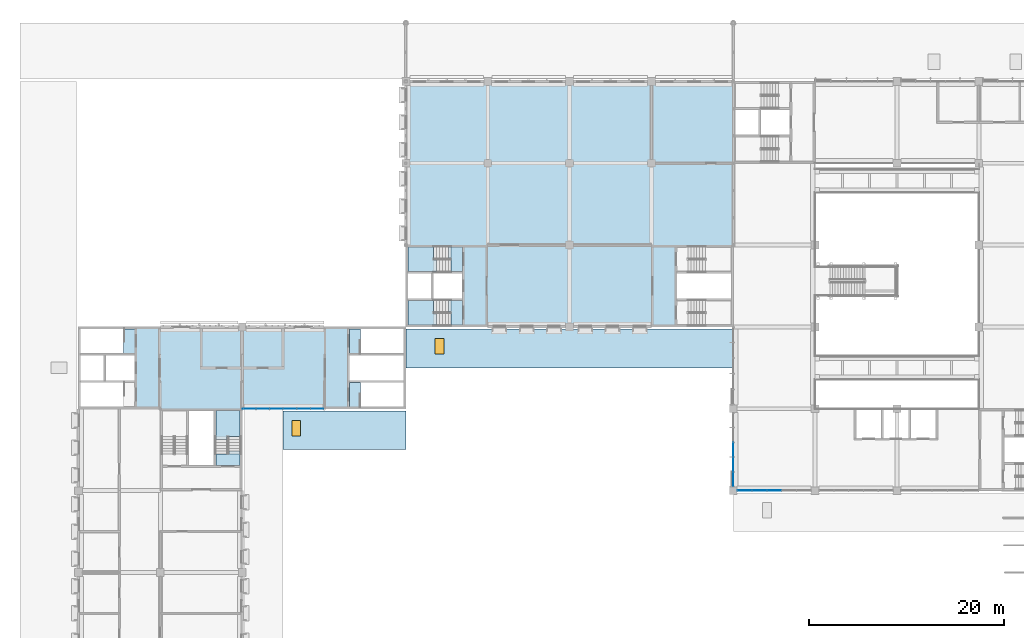
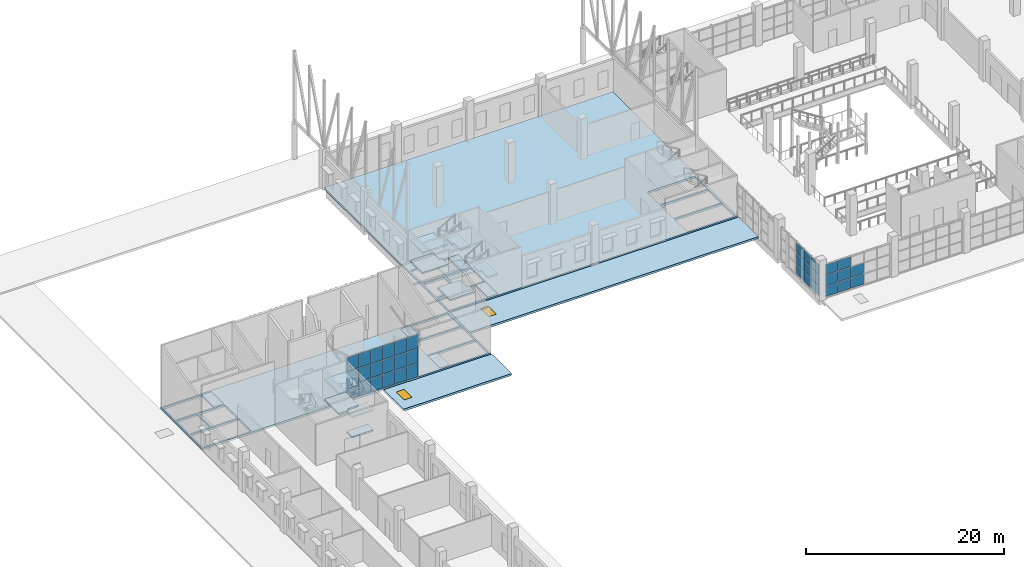
# One storey, part 21 of 101: 35 plates, 19 slabs, 2 windows, 2 openings, 6 elements without a shape of their own.
"""IFC4 building model written with IfcOpenShell, lengths in metres."""

from ifc_helpers import new_model, si_unit, direction, frame, origin, origin_2d, place, context, subcontext, project, spatial, polyline, rectangle, outline, extrude, material, layer, layer_set, type_object, element, fill, aggregate, save


model = new_model("IFC4")

# Units and contexts
model_context = context("Model", 3, precision=1e-05, world=origin(), true_north=direction((0.0, 1.0)))
body_context = subcontext(model_context, "Body", "Model", "MODEL_VIEW")
ifc_project = project(units=[si_unit("LENGTHUNIT", "METRE"), si_unit("AREAUNIT", "SQUARE_METRE"), si_unit("VOLUMEUNIT", "CUBIC_METRE"), si_unit("PLANEANGLEUNIT", "RADIAN"), si_unit("MASSUNIT", "GRAM", prefix="KILO")], contexts=[model_context])

# Site, building, storey
site_placement = place(None, origin())
site = spatial("IfcSite", under=ifc_project, at=site_placement, CompositionType="ELEMENT")
building_placement = place(site_placement, origin())
building = spatial("IfcBuilding", under=site, at=building_placement, Name="Almond Square Museum", CompositionType="ELEMENT")
storey_placement = place(building_placement, frame((0.0, 0.0, 5.5)))
storey = spatial("IfcBuildingStorey", under=building, at=storey_placement, Name="L01", CompositionType="ELEMENT", Elevation=5.5)

# Slab, opening, window
ifc_material_1 = material(Name="Timber deck and membrane roofing", Category="wood")
ifc_layer_1 = layer(ifc_material_1, 0.25)
ifc_layer_set_1 = layer_set([ifc_layer_1], Name="Timber deck and membrane roofing")
slab_type_1 = type_object("IfcSlabType", Name="Arcade roof covering 250", PredefinedType="ROOF", material=ifc_layer_set_1)
slab_1_placement = place(storey_placement, frame((0.0, 0.0, -0.25)))
slab_1 = element("IfcSlab", 1, at=slab_1_placement, inside=storey, type_object=slab_type_1, Name="Roof covering Log V3", PredefinedType="ROOF", context=body_context, shape_type="SweptSolid", body=[
    extrude(outline(polyline([(39.60009765625, 71.39990234375), (39.60009765625, 75.3798828125), (27.0, 75.3798828125), (27.0, 71.39990234375), (39.60009765625, 71.39990234375)])), origin(), (0.0, 0.0, 1.0), 0.25),
])
opening_1_placement = place(slab_1_placement, frame((28.35009765625, 73.60009765625, -0.010009765625)))
opening_1 = element("IfcOpeningElement", 2, at=opening_1_placement, cuts=slab_1, Name="Opening RL405", PredefinedType="OPENING", context=body_context, shape_type="SweptSolid", body=[
    extrude(rectangle(XDim=0.89990234375, YDim=1.60009765625, at=origin_2d()), origin(), (0.0, 0.0, 1.0), 0.27001953125),
])
ifc_material_2 = material(Name="Aluminium frame and laminated glass", Category="aluminium")
window_type = type_object("IfcWindowType", Name="Entrance rooflight 900 x 1600", PartitioningType="SINGLE_PANEL", PredefinedType="SKYLIGHT", material=ifc_material_2)
window_1_placement = place(opening_1_placement, frame((0.0, 0.0, 0.2099609375)))
window_1 = element("IfcWindow", 3, at=window_1_placement, inside=storey, type_object=window_type, Name="Rooflight", OverallHeight=1.60009765625, OverallWidth=0.89990234375, PartitioningType="SINGLE_PANEL", PredefinedType="SKYLIGHT", context=body_context, shape_type="SweptSolid", body=[
    extrude(rectangle(XDim=0.89990234375, YDim=1.60009765625, at=origin_2d()), origin(), (0.0, 0.0, 1.0), 0.050048828125),
])
fill(opening_1, window_1)

slab_2_placement = place(storey_placement, frame((0.0, 0.0, -0.25)))
slab_2 = element("IfcSlab", 4, at=slab_2_placement, inside=storey, type_object=slab_type_1, Name="Roof covering Log V4N", PredefinedType="ROOF", context=body_context, shape_type="SweptSolid", body=[
    extrude(outline(polyline([(73.199951171875, 79.800048828125), (73.199951171875, 83.780029296875), (39.60009765625, 83.780029296875), (39.60009765625, 79.800048828125), (73.199951171875, 79.800048828125)])), origin(), (0.0, 0.0, 1.0), 0.25),
])
opening_2_placement = place(slab_2_placement, frame((43.050048828125, 82.0, -0.010009765625)))
opening_2 = element("IfcOpeningElement", 5, at=opening_2_placement, cuts=slab_2, Name="Opening RL409", PredefinedType="OPENING", context=body_context, shape_type="SweptSolid", body=[
    extrude(rectangle(XDim=0.89990234375, YDim=1.60009765625, at=origin_2d()), origin(), (0.0, 0.0, 1.0), 0.27001953125),
])
window_2_placement = place(opening_2_placement, frame((0.0, 0.0, 0.2099609375)))
window_2 = element("IfcWindow", 6, at=window_2_placement, inside=storey, type_object=window_type, Name="Rooflight", OverallHeight=1.60009765625, OverallWidth=0.89990234375, PartitioningType="SINGLE_PANEL", PredefinedType="SKYLIGHT", context=body_context, shape_type="SweptSolid", body=[
    extrude(rectangle(XDim=0.89990234375, YDim=1.60009765625, at=origin_2d()), origin(), (0.0, 0.0, 1.0), 0.050048828125),
])
fill(opening_2, window_2)

# Stair, slabs
ifc_material_3 = material(Name="Concrete C40/50", Category="concrete")
stair_type = type_object("IfcStairType", Name="Exit stair 28 risers of 179 mm", PredefinedType="HALF_TURN_STAIR", material=ifc_material_3)
stair_1_placement = place(storey_placement, origin())
stair_1 = element("IfcStair", 7, at=stair_1_placement, inside=storey, type_object=stair_type, Name="L01 stair N1-1", PredefinedType="HALF_TURN_STAIR")
ifc_material_4 = material(Name="Concrete C40/50", Category="concrete")
ifc_layer_2 = layer(ifc_material_4, 0.199951171875)
ifc_layer_set_2 = layer_set([ifc_layer_2], Name="Concrete C40/50")
slab_type_2 = type_object("IfcSlabType", Name="Concrete stair landing 200", PredefinedType="LANDING", material=ifc_layer_set_2)
slab_3_placement = place(storey_placement, frame((0.0, 0.0, 1.050048828125)))
slab_3 = element("IfcSlab", 8, at=slab_3_placement, type_object=slab_type_2, Name="ST-17 landing 1", PredefinedType="LANDING", context=body_context, shape_type="SweptSolid", body=[
    extrude(outline(polyline([(42.452880859375, 86.699951171875), (39.800048828125, 86.699951171875), (39.800048828125, 84.199951171875), (42.75, 84.199951171875), (42.75, 85.35009765625), (42.452880859375, 85.35009765625), (42.452880859375, 86.699951171875)])), origin(), (0.0, 0.0, 1.0), 0.199951171875),
])
slab_4_placement = place(storey_placement, frame((0.0, 0.0, 2.300048828125)))
slab_4 = element("IfcSlab", 9, at=slab_4_placement, type_object=slab_type_2, Name="ST-17 landing 2", PredefinedType="LANDING", context=body_context, shape_type="SweptSolid", body=[
    extrude(outline(polyline([(45.39990234375, 86.699951171875), (44.25, 86.699951171875), (43.949951171875, 86.699951171875), (43.949951171875, 85.550048828125), (44.2470703125, 85.550048828125), (44.2470703125, 84.199951171875), (45.39990234375, 84.199951171875), (45.39990234375, 86.699951171875)])), origin(), (0.0, 0.0, 1.0), 0.199951171875),
])
slab_5_placement = place(storey_placement, frame((0.0, 0.0, 3.550048828125)))
slab_5 = element("IfcSlab", 10, at=slab_5_placement, type_object=slab_type_2, Name="ST-17 landing 3", PredefinedType="LANDING", context=body_context, shape_type="SweptSolid", body=[
    extrude(outline(polyline([(42.452880859375, 86.699951171875), (39.800048828125, 86.699951171875), (39.800048828125, 84.199951171875), (42.75, 84.199951171875), (42.75, 85.35009765625), (42.452880859375, 85.35009765625), (42.452880859375, 86.699951171875)])), origin(), (0.0, 0.0, 1.0), 0.199951171875),
])
aggregate(stair_1, [slab_3, slab_4, slab_5])

stair_2_placement = place(storey_placement, origin())
stair_2 = element("IfcStair", 11, at=stair_2_placement, inside=storey, type_object=stair_type, Name="L01 stair N1-2", PredefinedType="HALF_TURN_STAIR")
slab_6_placement = place(storey_placement, frame((0.0, 0.0, 1.050048828125)))
slab_6 = element("IfcSlab", 12, at=slab_6_placement, type_object=slab_type_2, Name="ST-18 landing 1", PredefinedType="LANDING", context=body_context, shape_type="SweptSolid", body=[
    extrude(outline(polyline([(42.452880859375, 92.199951171875), (39.800048828125, 92.199951171875), (39.800048828125, 89.699951171875), (42.75, 89.699951171875), (42.75, 90.85009765625), (42.452880859375, 90.85009765625), (42.452880859375, 92.199951171875)])), origin(), (0.0, 0.0, 1.0), 0.199951171875),
])
slab_7_placement = place(storey_placement, frame((0.0, 0.0, 2.300048828125)))
slab_7 = element("IfcSlab", 13, at=slab_7_placement, type_object=slab_type_2, Name="ST-18 landing 2", PredefinedType="LANDING", context=body_context, shape_type="SweptSolid", body=[
    extrude(outline(polyline([(45.39990234375, 92.199951171875), (44.25, 92.199951171875), (43.949951171875, 92.199951171875), (43.949951171875, 91.050048828125), (44.2470703125, 91.050048828125), (44.2470703125, 89.699951171875), (45.39990234375, 89.699951171875), (45.39990234375, 92.199951171875)])), origin(), (0.0, 0.0, 1.0), 0.199951171875),
])
slab_8_placement = place(storey_placement, frame((0.0, 0.0, 3.550048828125)))
slab_8 = element("IfcSlab", 14, at=slab_8_placement, type_object=slab_type_2, Name="ST-18 landing 3", PredefinedType="LANDING", context=body_context, shape_type="SweptSolid", body=[
    extrude(outline(polyline([(42.452880859375, 92.199951171875), (39.800048828125, 92.199951171875), (39.800048828125, 89.699951171875), (42.75, 89.699951171875), (42.75, 90.85009765625), (42.452880859375, 90.85009765625), (42.452880859375, 92.199951171875)])), origin(), (0.0, 0.0, 1.0), 0.199951171875),
])
aggregate(stair_2, [slab_6, slab_7, slab_8])

stair_3_placement = place(storey_placement, origin())
stair_3 = element("IfcStair", 15, at=stair_3_placement, inside=storey, type_object=stair_type, Name="L01 stair W2-2", PredefinedType="HALF_TURN_STAIR")
slab_9_placement = place(storey_placement, frame((0.0, 0.0, 1.050048828125)))
slab_9 = element("IfcSlab", 16, at=slab_9_placement, type_object=slab_type_2, Name="ST-24 landing 1", PredefinedType="LANDING", context=body_context, shape_type="SweptSolid", body=[
    extrude(outline(polyline([(22.60009765625, 72.7470703125), (22.60009765625, 75.39990234375), (20.10009765625, 75.39990234375), (20.10009765625, 72.449951171875), (21.25, 72.449951171875), (21.25, 72.7470703125), (22.60009765625, 72.7470703125)])), origin(), (0.0, 0.0, 1.0), 0.199951171875),
])
slab_10_placement = place(storey_placement, frame((0.0, 0.0, 2.300048828125)))
slab_10 = element("IfcSlab", 17, at=slab_10_placement, type_object=slab_type_2, Name="ST-24 landing 2", PredefinedType="LANDING", context=body_context, shape_type="SweptSolid", body=[
    extrude(outline(polyline([(22.60009765625, 69.800048828125), (22.60009765625, 70.949951171875), (22.60009765625, 71.25), (21.449951171875, 71.25), (21.449951171875, 70.952880859375), (20.10009765625, 70.952880859375), (20.10009765625, 69.800048828125), (22.60009765625, 69.800048828125)])), origin(), (0.0, 0.0, 1.0), 0.199951171875),
])
slab_11_placement = place(storey_placement, frame((0.0, 0.0, 3.550048828125)))
slab_11 = element("IfcSlab", 18, at=slab_11_placement, type_object=slab_type_2, Name="ST-24 landing 3", PredefinedType="LANDING", context=body_context, shape_type="SweptSolid", body=[
    extrude(outline(polyline([(22.60009765625, 72.7470703125), (22.60009765625, 75.39990234375), (20.10009765625, 75.39990234375), (20.10009765625, 72.449951171875), (21.25, 72.449951171875), (21.25, 72.7470703125), (22.60009765625, 72.7470703125)])), origin(), (0.0, 0.0, 1.0), 0.199951171875),
])
aggregate(stair_3, [slab_9, slab_10, slab_11])

# Slabs
slab_12_placement = place(storey_placement, frame((0.0, 0.0, -0.199951171875)))
element("IfcSlab", 19, at=slab_12_placement, inside=storey, type_object=slab_type_2, Name="L01 stair U1-2 floor landing", PredefinedType="LANDING", context=body_context, shape_type="SweptSolid", body=[
    extrude(outline(polyline([(10.64697265625, 81.300048828125), (11.800048828125, 81.300048828125), (11.800048828125, 83.800048828125), (10.64697265625, 83.800048828125), (10.64697265625, 81.300048828125)])), origin(), (0.0, 0.0, 1.0), 0.199951171875),
])
slab_13_placement = place(storey_placement, frame((0.0, 0.0, -0.199951171875)))
element("IfcSlab", 20, at=slab_13_placement, inside=storey, type_object=slab_type_2, Name="L01 stair U2-1 floor landing", PredefinedType="LANDING", context=body_context, shape_type="SweptSolid", body=[
    extrude(outline(polyline([(33.800048828125, 75.800048828125), (34.952880859375, 75.800048828125), (34.952880859375, 78.300048828125), (33.800048828125, 78.300048828125), (33.800048828125, 75.800048828125)])), origin(), (0.0, 0.0, 1.0), 0.199951171875),
])
slab_14_placement = place(storey_placement, frame((0.0, 0.0, -0.199951171875)))
element("IfcSlab", 21, at=slab_14_placement, inside=storey, type_object=slab_type_2, Name="L01 stair U2-2 floor landing", PredefinedType="LANDING", context=body_context, shape_type="SweptSolid", body=[
    extrude(outline(polyline([(33.800048828125, 81.300048828125), (34.952880859375, 81.300048828125), (34.952880859375, 83.800048828125), (33.800048828125, 83.800048828125), (33.800048828125, 81.300048828125)])), origin(), (0.0, 0.0, 1.0), 0.199951171875),
])
slab_15_placement = place(storey_placement, frame((0.0, 0.0, -0.199951171875)))
element("IfcSlab", 22, at=slab_15_placement, inside=storey, type_object=slab_type_2, Name="L01 stair N1-1 floor landing", PredefinedType="LANDING", context=body_context, shape_type="SweptSolid", body=[
    extrude(outline(polyline([(44.2470703125, 84.199951171875), (45.39990234375, 84.199951171875), (45.39990234375, 86.699951171875), (44.2470703125, 86.699951171875), (44.2470703125, 84.199951171875)])), origin(), (0.0, 0.0, 1.0), 0.199951171875),
])
slab_16_placement = place(storey_placement, frame((0.0, 0.0, -0.199951171875)))
element("IfcSlab", 23, at=slab_16_placement, inside=storey, type_object=slab_type_2, Name="L01 stair N1-2 floor landing", PredefinedType="LANDING", context=body_context, shape_type="SweptSolid", body=[
    extrude(outline(polyline([(44.2470703125, 89.699951171875), (45.39990234375, 89.699951171875), (45.39990234375, 92.199951171875), (44.2470703125, 92.199951171875), (44.2470703125, 89.699951171875)])), origin(), (0.0, 0.0, 1.0), 0.199951171875),
])
slab_17_placement = place(storey_placement, frame((0.0, 0.0, -0.199951171875)))
element("IfcSlab", 24, at=slab_17_placement, inside=storey, type_object=slab_type_2, Name="L01 stair W2-2 floor landing", PredefinedType="LANDING", context=body_context, shape_type="SweptSolid", body=[
    extrude(outline(polyline([(20.10009765625, 69.800048828125), (22.60009765625, 69.800048828125), (22.60009765625, 70.952880859375), (20.10009765625, 70.952880859375), (20.10009765625, 69.800048828125)])), origin(), (0.0, 0.0, 1.0), 0.199951171875),
])

# Curtain wall, plates
ifc_material_5 = material(Name="Aluminium and laminated glass", Category="aluminium")
curtain_wall_type = type_object("IfcCurtainWallType", Name="Unitised curtain wall 1500 module", PredefinedType="NOTDEFINED", material=ifc_material_5)
curtain_wall_1_placement = place(storey_placement, origin())
curtain_wall_1 = element("IfcCurtainWall", 25, at=curtain_wall_1_placement, inside=storey, type_object=curtain_wall_type, Name="Curtain wall CW-06", PredefinedType="NOTDEFINED")
ifc_material_6 = material(Name="Laminated hurricane-rated glass", Category="glass")
ifc_layer_3 = layer(ifc_material_6, 0.035888671875)
ifc_layer_set_3 = layer_set([ifc_layer_3], Name="Laminated hurricane-rated glass")
plate_type = type_object("IfcPlateType", Name="Laminated glass panel 36", PredefinedType="CURTAIN_PANEL", material=ifc_layer_set_3)
plate_1_placement = place(storey_placement, frame((23.514892578125, 75.60009765625, 0.06005859375), z_axis=(0.0, 0.0, 1.0), x_axis=(1.0, 0.0, 0.0)))
plate_1 = element("IfcPlate", 26, at=plate_1_placement, type_object=plate_type, Name="CW-06 panel 1.1", PredefinedType="CURTAIN_PANEL", context=body_context, shape_type="SweptSolid", body=[
    extrude(rectangle(XDim=1.31005859375, YDim=0.035888671875, at=origin_2d()), origin(), (0.0, 0.0, 1.0), 1.68310546875),
])
plate_2_placement = place(storey_placement, frame((23.514892578125, 75.60009765625, 1.80322265625), z_axis=(0.0, 0.0, 1.0), x_axis=(1.0, 0.0, 0.0)))
plate_2 = element("IfcPlate", 27, at=plate_2_placement, type_object=plate_type, Name="CW-06 panel 1.2", PredefinedType="CURTAIN_PANEL", context=body_context, shape_type="SweptSolid", body=[
    extrude(rectangle(XDim=1.31005859375, YDim=0.035888671875, at=origin_2d()), origin(), (0.0, 0.0, 1.0), 1.713134765625),
])
plate_3_placement = place(storey_placement, frame((23.514892578125, 75.60009765625, 3.575927734375), z_axis=(0.0, 0.0, 1.0), x_axis=(1.0, 0.0, 0.0)))
plate_3 = element("IfcPlate", 28, at=plate_3_placement, type_object=plate_type, Name="CW-06 panel 1.3", PredefinedType="CURTAIN_PANEL", context=body_context, shape_type="SweptSolid", body=[
    extrude(rectangle(XDim=1.31005859375, YDim=0.035888671875, at=origin_2d()), origin(), (0.0, 0.0, 1.0), 1.68310546875),
])
plate_4_placement = place(storey_placement, frame((24.89990234375, 75.60009765625, 0.06005859375), z_axis=(0.0, 0.0, 1.0), x_axis=(1.0, 0.0, 0.0)))
plate_4 = element("IfcPlate", 29, at=plate_4_placement, type_object=plate_type, Name="CW-06 panel 2.1", PredefinedType="CURTAIN_PANEL", context=body_context, shape_type="SweptSolid", body=[
    extrude(rectangle(XDim=1.340087890625, YDim=0.035888671875, at=origin_2d()), origin(), (0.0, 0.0, 1.0), 1.68310546875),
])
plate_5_placement = place(storey_placement, frame((24.89990234375, 75.60009765625, 1.80322265625), z_axis=(0.0, 0.0, 1.0), x_axis=(1.0, 0.0, 0.0)))
plate_5 = element("IfcPlate", 30, at=plate_5_placement, type_object=plate_type, Name="CW-06 panel 2.2", PredefinedType="CURTAIN_PANEL", context=body_context, shape_type="SweptSolid", body=[
    extrude(rectangle(XDim=1.340087890625, YDim=0.035888671875, at=origin_2d()), origin(), (0.0, 0.0, 1.0), 1.713134765625),
])
plate_6_placement = place(storey_placement, frame((24.89990234375, 75.60009765625, 3.575927734375), z_axis=(0.0, 0.0, 1.0), x_axis=(1.0, 0.0, 0.0)))
plate_6 = element("IfcPlate", 31, at=plate_6_placement, type_object=plate_type, Name="CW-06 panel 2.3", PredefinedType="CURTAIN_PANEL", context=body_context, shape_type="SweptSolid", body=[
    extrude(rectangle(XDim=1.340087890625, YDim=0.035888671875, at=origin_2d()), origin(), (0.0, 0.0, 1.0), 1.68310546875),
])
plate_7_placement = place(storey_placement, frame((26.300048828125, 75.60009765625, 0.06005859375), z_axis=(0.0, 0.0, 1.0), x_axis=(1.0, 0.0, 0.0)))
plate_7 = element("IfcPlate", 32, at=plate_7_placement, type_object=plate_type, Name="CW-06 panel 3.1", PredefinedType="CURTAIN_PANEL", context=body_context, shape_type="SweptSolid", body=[
    extrude(rectangle(XDim=1.340087890625, YDim=0.035888671875, at=origin_2d()), origin(), (0.0, 0.0, 1.0), 1.68310546875),
])
plate_8_placement = place(storey_placement, frame((26.300048828125, 75.60009765625, 1.80322265625), z_axis=(0.0, 0.0, 1.0), x_axis=(1.0, 0.0, 0.0)))
plate_8 = element("IfcPlate", 33, at=plate_8_placement, type_object=plate_type, Name="CW-06 panel 3.2", PredefinedType="CURTAIN_PANEL", context=body_context, shape_type="SweptSolid", body=[
    extrude(rectangle(XDim=1.340087890625, YDim=0.035888671875, at=origin_2d()), origin(), (0.0, 0.0, 1.0), 1.713134765625),
])
plate_9_placement = place(storey_placement, frame((26.300048828125, 75.60009765625, 3.575927734375), z_axis=(0.0, 0.0, 1.0), x_axis=(1.0, 0.0, 0.0)))
plate_9 = element("IfcPlate", 34, at=plate_9_placement, type_object=plate_type, Name="CW-06 panel 3.3", PredefinedType="CURTAIN_PANEL", context=body_context, shape_type="SweptSolid", body=[
    extrude(rectangle(XDim=1.340087890625, YDim=0.035888671875, at=origin_2d()), origin(), (0.0, 0.0, 1.0), 1.68310546875),
])
plate_10_placement = place(storey_placement, frame((27.699951171875, 75.60009765625, 0.06005859375), z_axis=(0.0, 0.0, 1.0), x_axis=(1.0, 0.0, 0.0)))
plate_10 = element("IfcPlate", 35, at=plate_10_placement, type_object=plate_type, Name="CW-06 panel 4.1", PredefinedType="CURTAIN_PANEL", context=body_context, shape_type="SweptSolid", body=[
    extrude(rectangle(XDim=1.340087890625, YDim=0.035888671875, at=origin_2d()), origin(), (0.0, 0.0, 1.0), 1.68310546875),
])
plate_11_placement = place(storey_placement, frame((27.699951171875, 75.60009765625, 1.80322265625), z_axis=(0.0, 0.0, 1.0), x_axis=(1.0, 0.0, 0.0)))
plate_11 = element("IfcPlate", 36, at=plate_11_placement, type_object=plate_type, Name="CW-06 panel 4.2", PredefinedType="CURTAIN_PANEL", context=body_context, shape_type="SweptSolid", body=[
    extrude(rectangle(XDim=1.340087890625, YDim=0.035888671875, at=origin_2d()), origin(), (0.0, 0.0, 1.0), 1.713134765625),
])
plate_12_placement = place(storey_placement, frame((27.699951171875, 75.60009765625, 3.575927734375), z_axis=(0.0, 0.0, 1.0), x_axis=(1.0, 0.0, 0.0)))
plate_12 = element("IfcPlate", 37, at=plate_12_placement, type_object=plate_type, Name="CW-06 panel 4.3", PredefinedType="CURTAIN_PANEL", context=body_context, shape_type="SweptSolid", body=[
    extrude(rectangle(XDim=1.340087890625, YDim=0.035888671875, at=origin_2d()), origin(), (0.0, 0.0, 1.0), 1.68310546875),
])
plate_13_placement = place(storey_placement, frame((29.10009765625, 75.60009765625, 0.06005859375), z_axis=(0.0, 0.0, 1.0), x_axis=(1.0, 0.0, 0.0)))
plate_13 = element("IfcPlate", 38, at=plate_13_placement, type_object=plate_type, Name="CW-06 panel 5.1", PredefinedType="CURTAIN_PANEL", context=body_context, shape_type="SweptSolid", body=[
    extrude(rectangle(XDim=1.340087890625, YDim=0.035888671875, at=origin_2d()), origin(), (0.0, 0.0, 1.0), 1.68310546875),
])
plate_14_placement = place(storey_placement, frame((29.10009765625, 75.60009765625, 1.80322265625), z_axis=(0.0, 0.0, 1.0), x_axis=(1.0, 0.0, 0.0)))
plate_14 = element("IfcPlate", 39, at=plate_14_placement, type_object=plate_type, Name="CW-06 panel 5.2", PredefinedType="CURTAIN_PANEL", context=body_context, shape_type="SweptSolid", body=[
    extrude(rectangle(XDim=1.340087890625, YDim=0.035888671875, at=origin_2d()), origin(), (0.0, 0.0, 1.0), 1.713134765625),
])
plate_15_placement = place(storey_placement, frame((29.10009765625, 75.60009765625, 3.575927734375), z_axis=(0.0, 0.0, 1.0), x_axis=(1.0, 0.0, 0.0)))
plate_15 = element("IfcPlate", 40, at=plate_15_placement, type_object=plate_type, Name="CW-06 panel 5.3", PredefinedType="CURTAIN_PANEL", context=body_context, shape_type="SweptSolid", body=[
    extrude(rectangle(XDim=1.340087890625, YDim=0.035888671875, at=origin_2d()), origin(), (0.0, 0.0, 1.0), 1.68310546875),
])
plate_16_placement = place(storey_placement, frame((30.485107421875, 75.60009765625, 0.06005859375), z_axis=(0.0, 0.0, 1.0), x_axis=(1.0, 0.0, 0.0)))
plate_16 = element("IfcPlate", 41, at=plate_16_placement, type_object=plate_type, Name="CW-06 panel 6.1", PredefinedType="CURTAIN_PANEL", context=body_context, shape_type="SweptSolid", body=[
    extrude(rectangle(XDim=1.31005859375, YDim=0.035888671875, at=origin_2d()), origin(), (0.0, 0.0, 1.0), 1.68310546875),
])
plate_17_placement = place(storey_placement, frame((30.485107421875, 75.60009765625, 1.80322265625), z_axis=(0.0, 0.0, 1.0), x_axis=(1.0, 0.0, 0.0)))
plate_17 = element("IfcPlate", 42, at=plate_17_placement, type_object=plate_type, Name="CW-06 panel 6.2", PredefinedType="CURTAIN_PANEL", context=body_context, shape_type="SweptSolid", body=[
    extrude(rectangle(XDim=1.31005859375, YDim=0.035888671875, at=origin_2d()), origin(), (0.0, 0.0, 1.0), 1.713134765625),
])
plate_18_placement = place(storey_placement, frame((30.485107421875, 75.60009765625, 3.575927734375), z_axis=(0.0, 0.0, 1.0), x_axis=(1.0, 0.0, 0.0)))
plate_18 = element("IfcPlate", 43, at=plate_18_placement, type_object=plate_type, Name="CW-06 panel 6.3", PredefinedType="CURTAIN_PANEL", context=body_context, shape_type="SweptSolid", body=[
    extrude(rectangle(XDim=1.31005859375, YDim=0.035888671875, at=origin_2d()), origin(), (0.0, 0.0, 1.0), 1.68310546875),
])
aggregate(curtain_wall_1, [plate_1, plate_2, plate_3, plate_4, plate_5, plate_6, plate_7, plate_8, plate_9, plate_10, plate_11, plate_12, plate_13, plate_14, plate_15, plate_16, plate_17, plate_18])

curtain_wall_2_placement = place(storey_placement, origin())
curtain_wall_2 = element("IfcCurtainWall", 44, at=curtain_wall_2_placement, inside=storey, type_object=curtain_wall_type, Name="Curtain wall CW-12", PredefinedType="NOTDEFINED")
plate_19_placement = place(storey_placement, frame((73.199951171875, 68.375, 0.06005859375), z_axis=(0.0, 0.0, 1.0), x_axis=(0.0, 1.0, 0.0)))
plate_19 = element("IfcPlate", 45, at=plate_19_placement, type_object=plate_type, Name="CW-12 panel 1.1", PredefinedType="CURTAIN_PANEL", context=body_context, shape_type="SweptSolid", body=[
    extrude(rectangle(XDim=1.429931640625, YDim=0.035888671875, at=origin_2d()), origin(), (0.0, 0.0, 1.0), 1.260009765625),
])
plate_20_placement = place(storey_placement, frame((73.199951171875, 68.375, 1.3798828125), z_axis=(0.0, 0.0, 1.0), x_axis=(0.0, 1.0, 0.0)))
plate_20 = element("IfcPlate", 46, at=plate_20_placement, type_object=plate_type, Name="CW-12 panel 1.2", PredefinedType="CURTAIN_PANEL", context=body_context, shape_type="SweptSolid", body=[
    extrude(rectangle(XDim=1.429931640625, YDim=0.035888671875, at=origin_2d()), origin(), (0.0, 0.0, 1.0), 1.2900390625),
])
plate_21_placement = place(storey_placement, frame((73.199951171875, 68.375, 2.72998046875), z_axis=(0.0, 0.0, 1.0), x_axis=(0.0, 1.0, 0.0)))
plate_21 = element("IfcPlate", 47, at=plate_21_placement, type_object=plate_type, Name="CW-12 panel 1.3", PredefinedType="CURTAIN_PANEL", context=body_context, shape_type="SweptSolid", body=[
    extrude(rectangle(XDim=1.429931640625, YDim=0.035888671875, at=origin_2d()), origin(), (0.0, 0.0, 1.0), 1.260009765625),
])
plate_22_placement = place(storey_placement, frame((73.199951171875, 69.8798828125, 0.06005859375), z_axis=(0.0, 0.0, 1.0), x_axis=(0.0, 1.0, 0.0)))
plate_22 = element("IfcPlate", 48, at=plate_22_placement, type_object=plate_type, Name="CW-12 panel 2.1", PredefinedType="CURTAIN_PANEL", context=body_context, shape_type="SweptSolid", body=[
    extrude(rectangle(XDim=1.4599609375, YDim=0.035888671875, at=origin_2d()), origin(), (0.0, 0.0, 1.0), 1.260009765625),
])
plate_23_placement = place(storey_placement, frame((73.199951171875, 69.8798828125, 1.3798828125), z_axis=(0.0, 0.0, 1.0), x_axis=(0.0, 1.0, 0.0)))
plate_23 = element("IfcPlate", 49, at=plate_23_placement, type_object=plate_type, Name="CW-12 panel 2.2", PredefinedType="CURTAIN_PANEL", context=body_context, shape_type="SweptSolid", body=[
    extrude(rectangle(XDim=1.4599609375, YDim=0.035888671875, at=origin_2d()), origin(), (0.0, 0.0, 1.0), 1.2900390625),
])
plate_24_placement = place(storey_placement, frame((73.199951171875, 69.8798828125, 2.72998046875), z_axis=(0.0, 0.0, 1.0), x_axis=(0.0, 1.0, 0.0)))
plate_24 = element("IfcPlate", 50, at=plate_24_placement, type_object=plate_type, Name="CW-12 panel 2.3", PredefinedType="CURTAIN_PANEL", context=body_context, shape_type="SweptSolid", body=[
    extrude(rectangle(XDim=1.4599609375, YDim=0.035888671875, at=origin_2d()), origin(), (0.0, 0.0, 1.0), 1.260009765625),
])
plate_25_placement = place(storey_placement, frame((73.199951171875, 71.39990234375, 0.06005859375), z_axis=(0.0, 0.0, 1.0), x_axis=(0.0, 1.0, 0.0)))
plate_25 = element("IfcPlate", 51, at=plate_25_placement, type_object=plate_type, Name="CW-12 panel 3.1", PredefinedType="CURTAIN_PANEL", context=body_context, shape_type="SweptSolid", body=[
    extrude(rectangle(XDim=1.4599609375, YDim=0.035888671875, at=origin_2d()), origin(), (0.0, 0.0, 1.0), 1.260009765625),
])
plate_26_placement = place(storey_placement, frame((73.199951171875, 71.39990234375, 1.3798828125), z_axis=(0.0, 0.0, 1.0), x_axis=(0.0, 1.0, 0.0)))
plate_26 = element("IfcPlate", 52, at=plate_26_placement, type_object=plate_type, Name="CW-12 panel 3.2", PredefinedType="CURTAIN_PANEL", context=body_context, shape_type="SweptSolid", body=[
    extrude(rectangle(XDim=1.4599609375, YDim=0.035888671875, at=origin_2d()), origin(), (0.0, 0.0, 1.0), 1.2900390625),
])
plate_27_placement = place(storey_placement, frame((73.199951171875, 71.39990234375, 2.72998046875), z_axis=(0.0, 0.0, 1.0), x_axis=(0.0, 1.0, 0.0)))
plate_27 = element("IfcPlate", 53, at=plate_27_placement, type_object=plate_type, Name="CW-12 panel 3.3", PredefinedType="CURTAIN_PANEL", context=body_context, shape_type="SweptSolid", body=[
    extrude(rectangle(XDim=1.4599609375, YDim=0.035888671875, at=origin_2d()), origin(), (0.0, 0.0, 1.0), 1.260009765625),
])
aggregate(curtain_wall_2, [plate_19, plate_20, plate_21, plate_22, plate_23, plate_24, plate_25, plate_26, plate_27])

curtain_wall_3_placement = place(storey_placement, origin())
curtain_wall_3 = element("IfcCurtainWall", 54, at=curtain_wall_3_placement, inside=storey, type_object=curtain_wall_type, Name="Curtain wall CW-13", PredefinedType="NOTDEFINED")
plate_28_placement = place(storey_placement, frame((74.375, 67.199951171875, 0.06005859375), z_axis=(0.0, 0.0, 1.0), x_axis=(1.0, 0.0, 0.0)))
plate_28 = element("IfcPlate", 55, at=plate_28_placement, type_object=plate_type, Name="CW-13 panel 1.1", PredefinedType="CURTAIN_PANEL", context=body_context, shape_type="SweptSolid", body=[
    extrude(rectangle(XDim=1.429931640625, YDim=0.035888671875, at=origin_2d()), origin(), (0.0, 0.0, 1.0), 1.260009765625),
])
plate_29_placement = place(storey_placement, frame((74.375, 67.199951171875, 1.3798828125), z_axis=(0.0, 0.0, 1.0), x_axis=(1.0, 0.0, 0.0)))
plate_29 = element("IfcPlate", 56, at=plate_29_placement, type_object=plate_type, Name="CW-13 panel 1.2", PredefinedType="CURTAIN_PANEL", context=body_context, shape_type="SweptSolid", body=[
    extrude(rectangle(XDim=1.429931640625, YDim=0.035888671875, at=origin_2d()), origin(), (0.0, 0.0, 1.0), 1.2900390625),
])
plate_30_placement = place(storey_placement, frame((74.375, 67.199951171875, 2.72998046875), z_axis=(0.0, 0.0, 1.0), x_axis=(1.0, 0.0, 0.0)))
plate_30 = element("IfcPlate", 57, at=plate_30_placement, type_object=plate_type, Name="CW-13 panel 1.3", PredefinedType="CURTAIN_PANEL", context=body_context, shape_type="SweptSolid", body=[
    extrude(rectangle(XDim=1.429931640625, YDim=0.035888671875, at=origin_2d()), origin(), (0.0, 0.0, 1.0), 1.260009765625),
])
plate_31_placement = place(storey_placement, frame((75.8798828125, 67.199951171875, 0.06005859375), z_axis=(0.0, 0.0, 1.0), x_axis=(1.0, 0.0, 0.0)))
plate_31 = element("IfcPlate", 58, at=plate_31_placement, type_object=plate_type, Name="CW-13 panel 2.1", PredefinedType="CURTAIN_PANEL", context=body_context, shape_type="SweptSolid", body=[
    extrude(rectangle(XDim=1.4599609375, YDim=0.035888671875, at=origin_2d()), origin(), (0.0, 0.0, 1.0), 1.260009765625),
])
plate_32_placement = place(storey_placement, frame((75.8798828125, 67.199951171875, 1.3798828125), z_axis=(0.0, 0.0, 1.0), x_axis=(1.0, 0.0, 0.0)))
plate_32 = element("IfcPlate", 59, at=plate_32_placement, type_object=plate_type, Name="CW-13 panel 2.2", PredefinedType="CURTAIN_PANEL", context=body_context, shape_type="SweptSolid", body=[
    extrude(rectangle(XDim=1.4599609375, YDim=0.035888671875, at=origin_2d()), origin(), (0.0, 0.0, 1.0), 1.2900390625),
])
plate_33_placement = place(storey_placement, frame((75.8798828125, 67.199951171875, 2.72998046875), z_axis=(0.0, 0.0, 1.0), x_axis=(1.0, 0.0, 0.0)))
plate_33 = element("IfcPlate", 60, at=plate_33_placement, type_object=plate_type, Name="CW-13 panel 2.3", PredefinedType="CURTAIN_PANEL", context=body_context, shape_type="SweptSolid", body=[
    extrude(rectangle(XDim=1.4599609375, YDim=0.035888671875, at=origin_2d()), origin(), (0.0, 0.0, 1.0), 1.260009765625),
])
plate_34_placement = place(storey_placement, frame((77.39990234375, 67.199951171875, 0.06005859375), z_axis=(0.0, 0.0, 1.0), x_axis=(1.0, 0.0, 0.0)))
plate_34 = element("IfcPlate", 61, at=plate_34_placement, type_object=plate_type, Name="CW-13 panel 3.1", PredefinedType="CURTAIN_PANEL", context=body_context, shape_type="SweptSolid", body=[
    extrude(rectangle(XDim=1.4599609375, YDim=0.035888671875, at=origin_2d()), origin(), (0.0, 0.0, 1.0), 1.260009765625),
])
plate_35_placement = place(storey_placement, frame((77.39990234375, 67.199951171875, 1.3798828125), z_axis=(0.0, 0.0, 1.0), x_axis=(1.0, 0.0, 0.0)))
plate_35 = element("IfcPlate", 62, at=plate_35_placement, type_object=plate_type, Name="CW-13 panel 3.2", PredefinedType="CURTAIN_PANEL", context=body_context, shape_type="SweptSolid", body=[
    extrude(rectangle(XDim=1.4599609375, YDim=0.035888671875, at=origin_2d()), origin(), (0.0, 0.0, 1.0), 1.2900390625),
])
aggregate(curtain_wall_3, [plate_28, plate_29, plate_30, plate_31, plate_32, plate_33, plate_34, plate_35])

# Slabs
ifc_material_7 = material(Name="Concrete C40/50", Category="concrete")
ifc_layer_4 = layer(ifc_material_7, 0.25)
ifc_layer_set_4 = layer_set([ifc_layer_4], Name="Concrete C40/50")
slab_type_3 = type_object("IfcSlabType", Name="RC floor slab 250 C40/50", PredefinedType="FLOOR", material=ifc_layer_set_4)
slab_18_placement = place(storey_placement, frame((0.0, 0.0, -0.25)))
element("IfcSlab", 63, at=slab_18_placement, inside=storey, type_object=slab_type_3, Name="Floor slab L01 V3", PredefinedType="FLOOR", context=body_context, shape_type="SweptSolid", body=[
    extrude(outline(polyline([(39.60009765625, 84.0), (39.60009765625, 75.60009765625), (22.800048828125, 75.60009765625), (6.0, 75.60009765625), (6.0, 84.0), (39.60009765625, 84.0)]), holes=[polyline([(6.199951171875, 75.800048828125), (11.800048828125, 75.800048828125), (11.800048828125, 78.300048828125), (6.199951171875, 78.300048828125), (6.199951171875, 75.800048828125)]), polyline([(33.800048828125, 75.800048828125), (39.39990234375, 75.800048828125), (39.39990234375, 78.300048828125), (33.800048828125, 78.300048828125), (33.800048828125, 75.800048828125)]), polyline([(8.800048828125, 78.5), (11.800048828125, 78.5), (11.800048828125, 81.10009765625), (8.800048828125, 81.10009765625), (8.800048828125, 78.5)]), polyline([(6.199951171875, 78.5), (8.60009765625, 78.5), (8.60009765625, 81.10009765625), (6.199951171875, 81.10009765625), (6.199951171875, 78.5)]), polyline([(33.800048828125, 78.5), (39.39990234375, 78.5), (39.39990234375, 81.10009765625), (33.800048828125, 81.10009765625), (33.800048828125, 78.5)]), polyline([(11.800048828125, 81.300048828125), (11.800048828125, 83.800048828125), (6.199951171875, 83.800048828125), (6.199951171875, 81.300048828125), (11.800048828125, 81.300048828125)]), polyline([(33.800048828125, 81.300048828125), (39.39990234375, 81.300048828125), (39.39990234375, 83.800048828125), (33.800048828125, 83.800048828125), (33.800048828125, 81.300048828125)])]), origin(), (0.0, 0.0, 1.0), 0.25),
])
slab_19_placement = place(storey_placement, frame((0.0, 0.0, -0.25)))
element("IfcSlab", 64, at=slab_19_placement, inside=storey, type_object=slab_type_3, Name="Floor slab L01 V4N", PredefinedType="FLOOR", context=body_context, shape_type="SweptSolid", body=[
    extrude(outline(polyline([(39.60009765625, 84.0), (39.60009765625, 109.199951171875), (73.199951171875, 109.199951171875), (73.199951171875, 84.0), (39.60009765625, 84.0)]), holes=[polyline([(39.800048828125, 84.199951171875), (45.39990234375, 84.199951171875), (45.39990234375, 86.699951171875), (39.800048828125, 86.699951171875), (39.800048828125, 84.199951171875)]), polyline([(39.800048828125, 86.89990234375), (42.199951171875, 86.89990234375), (42.199951171875, 89.5), (39.800048828125, 89.5), (39.800048828125, 86.89990234375)]), polyline([(42.39990234375, 86.89990234375), (45.39990234375, 86.89990234375), (45.39990234375, 89.5), (42.39990234375, 89.5), (42.39990234375, 86.89990234375)]), polyline([(39.800048828125, 89.699951171875), (45.39990234375, 89.699951171875), (45.39990234375, 92.199951171875), (39.800048828125, 92.199951171875), (39.800048828125, 89.699951171875)]), polyline([(67.39990234375, 84.199951171875), (73.0, 84.199951171875), (73.0, 86.699951171875), (67.39990234375, 86.699951171875), (67.39990234375, 84.199951171875)]), polyline([(67.39990234375, 86.89990234375), (73.0, 86.89990234375), (73.0, 89.5), (67.39990234375, 89.5), (67.39990234375, 86.89990234375)]), polyline([(67.39990234375, 89.699951171875), (73.0, 89.699951171875), (73.0, 92.199951171875), (67.39990234375, 92.199951171875), (67.39990234375, 89.699951171875)])]), origin(), (0.0, 0.0, 1.0), 0.25),
])

save(model, "model.ifc")
